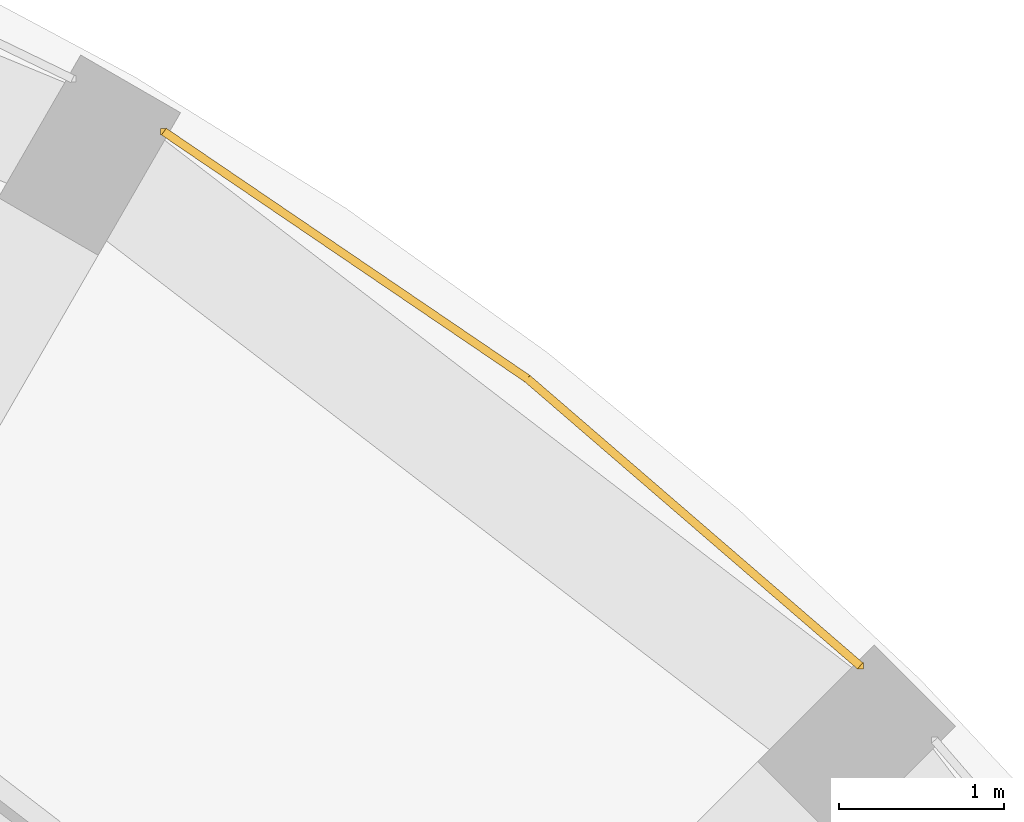
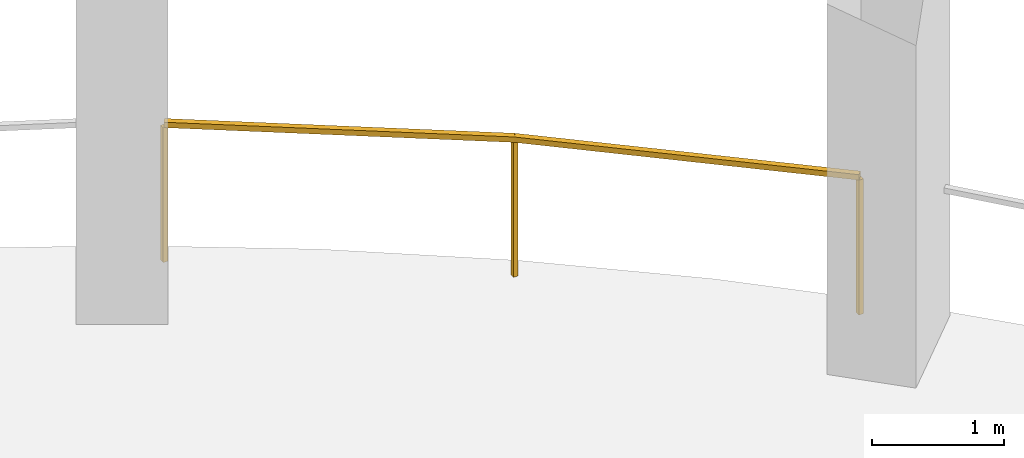
# One storey, part 9 of 9: 1 railing.
"""IFC4 building model written with IfcOpenShell, lengths in metres."""

from ifc_helpers import new_model, si_unit, direction, frame, origin, origin_2d, place, context, subcontext, project, spatial, rectangle, extrude, material, type_object, element, save


model = new_model("IFC4")

# Units and contexts
model_context = context("Model", 3, precision=1e-05, world=origin(), true_north=direction((0.0, 1.0)))
body_context = subcontext(model_context, "Body", "Model", "MODEL_VIEW")
ifc_project = project(units=[si_unit("LENGTHUNIT", "METRE"), si_unit("AREAUNIT", "SQUARE_METRE"), si_unit("VOLUMEUNIT", "CUBIC_METRE"), si_unit("PLANEANGLEUNIT", "RADIAN"), si_unit("MASSUNIT", "GRAM", prefix="KILO")], contexts=[model_context])

# Site, building, storey
site_placement = place(None, origin())
site = spatial("IfcSite", under=ifc_project, at=site_placement, CompositionType="ELEMENT")
building_placement = place(site_placement, origin())
building = spatial("IfcBuilding", under=site, at=building_placement, Name="Torre Triforio", CompositionType="ELEMENT")
storey_placement = place(building_placement, frame((0.0, 0.0, 161.60009765625)))
storey = spatial("IfcBuildingStorey", under=building, at=storey_placement, Name="L36", CompositionType="ELEMENT", Elevation=161.60009765625)

# Railing
ifc_material = material(Name="Stainless steel AISI 316", Category="steel")
railing_type = type_object("IfcRailingType", Name="Loggia guard 1300", PredefinedType="GUARDRAIL", material=ifc_material)
railing_placement = place(storey_placement, frame((15.93115234375, 16.3837890625, 0.0)))
element("IfcRailing", 1, at=railing_placement, inside=storey, type_object=railing_type, Name="Loggia guard L36 bay 04", PredefinedType="GUARDRAIL", context=body_context, shape_type="SweptSolid", body=[
    extrude(rectangle(XDim=0.050048828125, YDim=0.050048828125, at=origin_2d()), frame((0.0, 0.0, 1.27490234375), z_axis=(-0.757012150376, 0.653400799038, 0.0), x_axis=(-0.653400799038, -0.757012150376, 0.0)), (0.0, 0.0, 1.0), 2.669677734375),
    extrude(rectangle(XDim=0.050048828125, YDim=0.050048828125, at=origin_2d()), frame((-2.02099609375, 1.744384765625, 1.27490234375), z_axis=(-0.827093160774, 0.562064856935, 0.0), x_axis=(-0.562064856935, -0.827093160774, 0.0)), (0.0, 0.0, 1.0), 2.669677734375),
    extrude(rectangle(XDim=0.0400390625, YDim=0.0400390625, at=origin_2d()), origin(), (0.0, 0.0, 1.0), 1.25),
    extrude(rectangle(XDim=0.0400390625, YDim=0.0400390625, at=origin_2d()), frame((-2.02099609375, 1.744384765625, 0.0)), (0.0, 0.0, 1.0), 1.25),
    extrude(rectangle(XDim=0.0400390625, YDim=0.0400390625, at=origin_2d()), frame((-4.22900390625, 3.244873046875, 0.0)), (0.0, 0.0, 1.0), 1.25),
])

save(model, "model.ifc")
